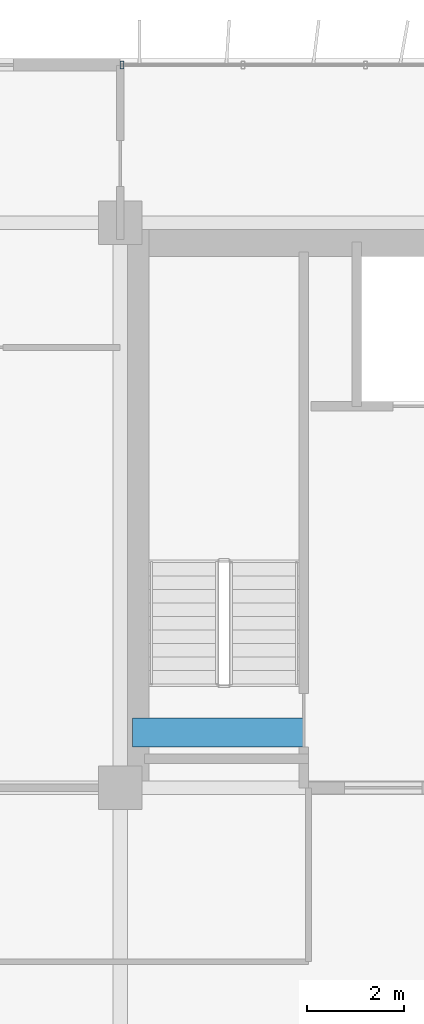
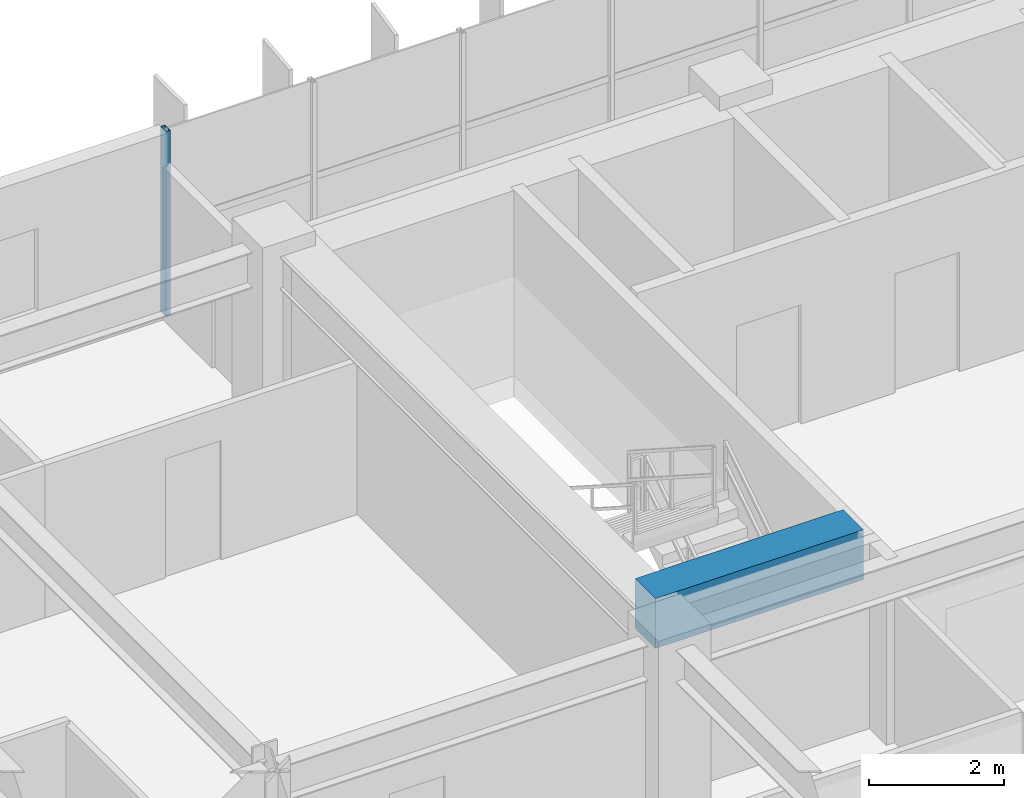
# One storey, part 4 of 26: 1 beam, 1 member, 1 element without a shape of its own.
"""IFC4 building model written with IfcOpenShell, lengths in metres."""

from ifc_helpers import new_model, si_unit, direction, frame, origin, origin_2d, place, context, subcontext, project, spatial, rectangle, hollow_rectangle, extrude, source, transform, mapped, material, material_profile, profile_set, type_object, element, aggregate, save


model = new_model("IFC4")

# Units and contexts
model_context = context("Model", 3, precision=1e-05, world=origin(), true_north=direction((0.0, 1.0)))
body_context = subcontext(model_context, "Body", "Model", "MODEL_VIEW")
ifc_project = project(units=[si_unit("LENGTHUNIT", "METRE"), si_unit("AREAUNIT", "SQUARE_METRE"), si_unit("VOLUMEUNIT", "CUBIC_METRE"), si_unit("PLANEANGLEUNIT", "RADIAN"), si_unit("MASSUNIT", "GRAM", prefix="KILO")], contexts=[model_context])

# Site, building, storey
site_placement = place(None, origin())
site = spatial("IfcSite", under=ifc_project, at=site_placement, CompositionType="ELEMENT")
building_placement = place(site_placement, origin())
building = spatial("IfcBuilding", under=site, at=building_placement, Name="Trelvane Seafront Commons", CompositionType="ELEMENT")
storey_placement = place(building_placement, frame((0.0, 0.0, 23.5)))
storey = spatial("IfcBuildingStorey", under=building, at=storey_placement, Name="L05", CompositionType="ELEMENT", Elevation=23.5)

# Beam
ifc_material_1 = material(Name="Concrete C60/75", Category="concrete")
ifc_material_profile_1 = material_profile(ifc_material_1, rectangle(XDim=0.60009765625, YDim=0.89990234375, at=origin_2d()), Name="RC-600x900")
ifc_profile_set_1 = profile_set([ifc_material_profile_1], Name="Concrete C60/75")
beam_type = type_object("IfcBeamType", Name="STR-LNT-RC600x900", PredefinedType="LINTEL", material=ifc_profile_set_1)
shared_shape_1 = source(origin(), body_context, "Body", "SweptSolid", [
    extrude(rectangle(XDim=0.60009765625, YDim=0.89990234375, at=origin_2d()), origin(), (0.0, 0.0, 1.0), 3.5498046875),
])
beam_placement = place(storey_placement, frame((15.85009765625, 34.550048828125, 2.889892578125), z_axis=(1.0, 0.0, 0.0), x_axis=(0.0, 1.0, 0.0)))
element("IfcBeam", 1, at=beam_placement, inside=storey, type_object=beam_type, Name="L05 Core Coupling Lintel Beam CB-85", PredefinedType="LINTEL", context=body_context, shape_type="MappedRepresentation", body=[
    mapped(shared_shape_1, transform((0.0, 0.0, 0.0), x_axis=(1.0, 0.0, 0.0), y_axis=(0.0, 1.0, 0.0), z_axis=(0.0, 0.0, 1.0), scale=1.0)),
])

# Curtain wall, member
ifc_material_2 = material(Name="Anodised pale-silver aluminium", Category="aluminium")
curtain_wall_type = type_object("IfcCurtainWallType", Name="ARCH-CW2-LOWTOWER", PredefinedType="NOTDEFINED", material=ifc_material_2)
curtain_wall_placement = place(storey_placement, origin())
curtain_wall = element("IfcCurtainWall", 2, at=curtain_wall_placement, inside=storey, type_object=curtain_wall_type, Name="CW-L05-0029", PredefinedType="NOTDEFINED")
ifc_material_profile_2 = material_profile(ifc_material_2, hollow_rectangle(XDim=0.074951171875, YDim=0.159912109375, WallThickness=0.00390625, at=origin_2d()), Name="MULL-75x160x4")
ifc_profile_set_2 = profile_set([ifc_material_profile_2], Name="Anodised pale-silver aluminium")
member_type = type_object("IfcMemberType", Name="ARCH-CW-MULL-160", PredefinedType="MULLION", material=ifc_profile_set_2)
shared_shape_2 = source(origin(), body_context, "Body", "SweptSolid", [
    extrude(hollow_rectangle(XDim=0.074951171875, YDim=0.159912109375, WallThickness=0.00390625, at=origin_2d()), origin(), (0.0, 0.0, 1.0), 3.340087890625),
])
member_placement = place(storey_placement, frame((15.639892578125, 48.3701171875, 0.0), z_axis=(0.0, 0.0, 1.0), x_axis=(1.0, 0.0, 0.0)))
member = element("IfcMember", 3, at=member_placement, type_object=member_type, Name="CW-L05-0029-M00", PredefinedType="MULLION", context=body_context, shape_type="MappedRepresentation", body=[
    mapped(shared_shape_2, transform((0.0, 0.0, 0.0), x_axis=(1.0, 0.0, 0.0), y_axis=(0.0, 1.0, 0.0), z_axis=(0.0, 0.0, 1.0), scale=1.0)),
])
aggregate(curtain_wall, [member])

save(model, "model.ifc")
